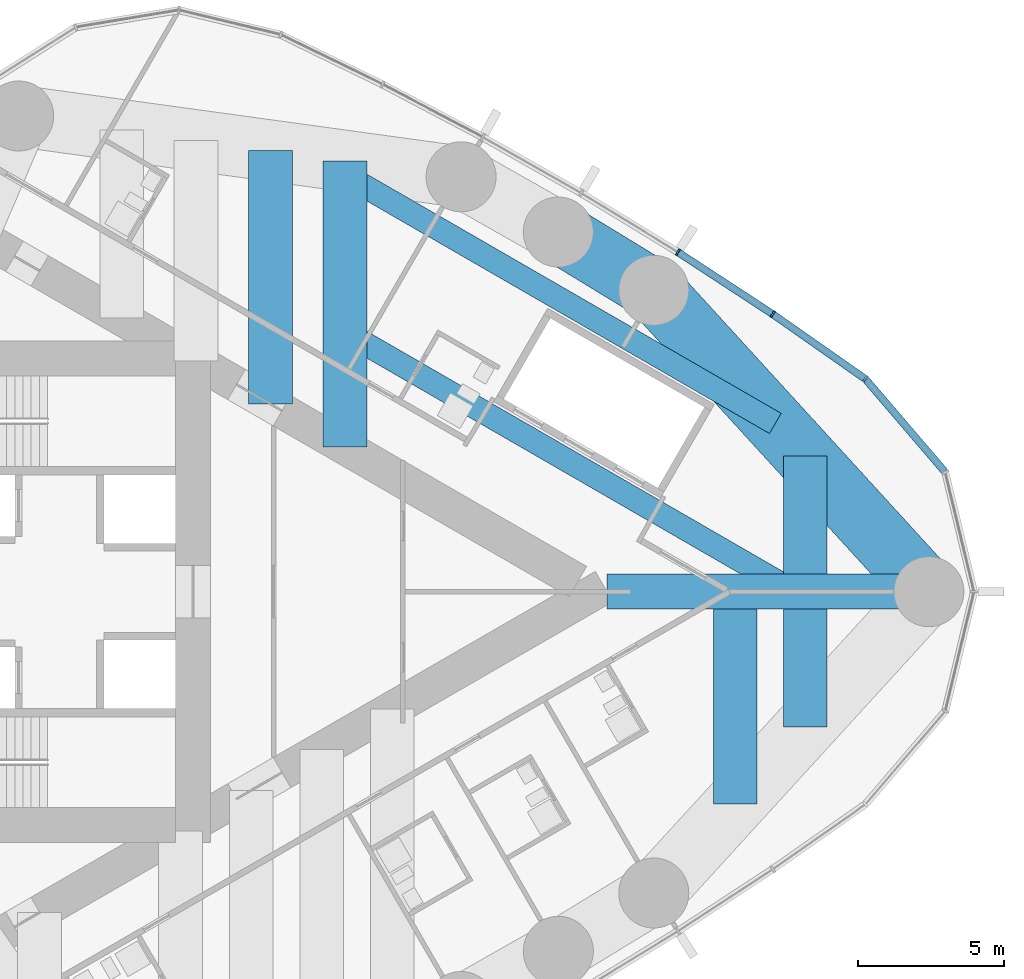
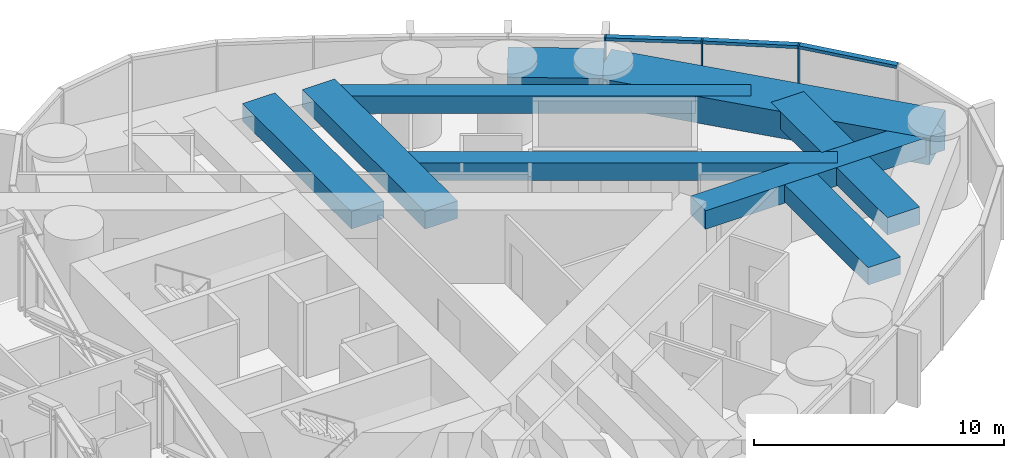
# One storey, part 9 of 23: 10 beams, 6 members, 1 element without a shape of its own.
"""IFC4 building model written with IfcOpenShell, lengths in metres."""

from ifc_helpers import new_model, si_unit, direction, frame, origin, origin_2d, place, context, subcontext, project, spatial, rectangle, hollow_rectangle, extrude, material, material_profile, profile_set, type_object, element, aggregate, save


model = new_model("IFC4")

# Units and contexts
model_context = context("Model", 3, precision=1e-05, world=origin(), true_north=direction((0.0, 1.0)))
body_context = subcontext(model_context, "Body", "Model", "MODEL_VIEW")
ifc_project = project(units=[si_unit("LENGTHUNIT", "METRE"), si_unit("AREAUNIT", "SQUARE_METRE"), si_unit("VOLUMEUNIT", "CUBIC_METRE"), si_unit("PLANEANGLEUNIT", "RADIAN"), si_unit("MASSUNIT", "GRAM", prefix="KILO")], contexts=[model_context])

# Site, building, storey
site_placement = place(None, origin())
site = spatial("IfcSite", under=ifc_project, at=site_placement, CompositionType="ELEMENT")
building_placement = place(site_placement, origin())
building = spatial("IfcBuilding", under=site, at=building_placement, Name="Lancet Gate Hotel", CompositionType="ELEMENT")
storey_placement = place(building_placement, frame((0.0, 0.0, 222.5)))
storey = spatial("IfcBuildingStorey", under=building, at=storey_placement, Name="L59", CompositionType="ELEMENT", Elevation=222.5)

# Curtain wall, members
ifc_material_1 = material(Name="Aluminium curtain wall", Category="aluminium")
curtain_wall_type = type_object("IfcCurtainWallType", Name="Tower unitised curtain wall", PredefinedType="USERDEFINED", material=ifc_material_1)
curtain_wall_placement = place(storey_placement, origin())
curtain_wall = element("IfcCurtainWall", 1, at=curtain_wall_placement, inside=storey, type_object=curtain_wall_type, Name="T2 L59 curtain wall 1", ObjectType="UNITISED CURTAIN WALL", PredefinedType="USERDEFINED")
ifc_material_2 = material(Name="Aluminium mullion", Category="aluminium")
ifc_material_profile_1 = material_profile(ifc_material_2, rectangle(XDim=0.06494140625, YDim=0.25, at=origin_2d()), Name="MULLION 65x250")
ifc_profile_set_1 = profile_set([ifc_material_profile_1], Name="Aluminium mullion")
member_type_1 = type_object("IfcMemberType", Name="Aluminium mullion 65x250", PredefinedType="MULLION", material=ifc_profile_set_1)
member_1_placement = place(storey_placement, frame((60.367431640625, 7.291259765625, 0.0), z_axis=(0.0, 0.0, 1.0), x_axis=(-0.737323173512, 0.675540182226, 0.0)))
member_1 = element("IfcMember", 2, at=member_1_placement, type_object=member_type_1, Name="T2 L59 curtain wall 1 mullion 16", PredefinedType="MULLION", context=body_context, shape_type="SweptSolid", body=[
    extrude(rectangle(XDim=0.06494140625, YDim=0.25, at=origin_2d()), origin(), (0.0, 0.0, 1.0), 3.60009765625),
])
member_2_placement = place(storey_placement, frame((57.185791015625, 9.518310546875, 0.0), z_axis=(0.0, 0.0, 1.0), x_axis=(-0.828154697184, 0.560499596371, 0.0)))
member_2 = element("IfcMember", 3, at=member_2_placement, type_object=member_type_1, Name="T2 L59 curtain wall 1 mullion 17", PredefinedType="MULLION", context=body_context, shape_type="SweptSolid", body=[
    extrude(rectangle(XDim=0.06494140625, YDim=0.25, at=origin_2d()), origin(), (0.0, 0.0, 1.0), 3.60009765625),
])
member_3_placement = place(storey_placement, frame((53.935791015625, 11.644287109375, 0.0), z_axis=(0.0, 0.0, 1.0), x_axis=(-0.845339753513, 0.534229071777, 0.0)))
member_3 = element("IfcMember", 4, at=member_3_placement, type_object=member_type_1, Name="T2 L59 curtain wall 1 mullion 18", PredefinedType="MULLION", context=body_context, shape_type="SweptSolid", body=[
    extrude(rectangle(XDim=0.06494140625, YDim=0.25, at=origin_2d()), origin(), (0.0, 0.0, 1.0), 3.60009765625),
])
ifc_material_3 = material(Name="Aluminium transom", Category="aluminium")
ifc_material_profile_2 = material_profile(ifc_material_3, rectangle(XDim=0.25, YDim=0.14990234375, at=origin_2d()), Name="TRANSOM 250x150")
ifc_profile_set_2 = profile_set([ifc_material_profile_2], Name="Aluminium transom")
member_type_2 = type_object("IfcMemberType", Name="Aluminium transom 250x150", PredefinedType="USERDEFINED", material=ifc_profile_set_2)
member_4_placement = place(storey_placement, frame((63.08544921875, 4.118408203125, 3.52490234375), z_axis=(-0.650592500186, 0.759427019997, 0.0), x_axis=(-0.759427019997, -0.650592500186, 0.0)))
member_4 = element("IfcMember", 5, at=member_4_placement, type_object=member_type_2, Name="T2 L59 curtain wall 1 transom 15", ObjectType="TRANSOM", PredefinedType="USERDEFINED", context=body_context, shape_type="SweptSolid", body=[
    extrude(rectangle(XDim=0.25, YDim=0.14990234375, at=origin_2d()), origin(), (0.0, 0.0, 1.0), 4.1455078125),
])
member_5_placement = place(storey_placement, frame((60.3408203125, 7.31005859375, 3.52490234375), z_axis=(-0.819255948852, 0.573428016642, 0.0), x_axis=(-0.573428016642, -0.819255948852, 0.0)))
member_5 = element("IfcMember", 6, at=member_5_placement, type_object=member_type_2, Name="T2 L59 curtain wall 1 transom 16", ObjectType="TRANSOM", PredefinedType="USERDEFINED", context=body_context, shape_type="SweptSolid", body=[
    extrude(rectangle(XDim=0.25, YDim=0.14990234375, at=origin_2d()), origin(), (0.0, 0.0, 1.0), 3.818603515625),
])
member_6_placement = place(storey_placement, frame((57.158447265625, 9.5361328125, 3.52490234375), z_axis=(-0.836858089593, 0.547419891749, 0.0), x_axis=(-0.547419891749, -0.836858089593, 0.0)))
member_6 = element("IfcMember", 7, at=member_6_placement, type_object=member_type_2, Name="T2 L59 curtain wall 1 transom 17", ObjectType="TRANSOM", PredefinedType="USERDEFINED", context=body_context, shape_type="SweptSolid", body=[
    extrude(rectangle(XDim=0.25, YDim=0.14990234375, at=origin_2d()), origin(), (0.0, 0.0, 1.0), 3.818603515625),
])
aggregate(curtain_wall, [member_1, member_2, member_3, member_4, member_5, member_6])

# Beams
ifc_material_4 = material(Name="Concrete C50/60", Category="concrete")
ifc_material_profile_3 = material_profile(ifc_material_4, rectangle(XDim=2.10009765625, YDim=1.300048828125, at=origin_2d()), Name="RC 2100x1300")
ifc_profile_set_3 = profile_set([ifc_material_profile_3], Name="Concrete C50/60")
beam_type_1 = type_object("IfcBeamType", Name="Edge beam RC 2100x1300", PredefinedType="SPANDREL", material=ifc_profile_set_3)
beam_1_placement = place(storey_placement, frame((62.54150390625, 0.0, 2.699951171875), z_axis=(-0.674209372947, 0.738540263919, 0.0), x_axis=(-0.738540263919, -0.674209372947, 0.0)))
element("IfcBeam", 8, at=beam_1_placement, inside=storey, type_object=beam_type_1, Name="T2 edge beam EB1 L59", PredefinedType="SPANDREL", context=body_context, shape_type="SweptSolid", body=[
    extrude(rectangle(XDim=2.10009765625, YDim=1.300048828125, at=origin_2d()), origin(), (0.0, 0.0, 1.0), 13.992431640625),
])
beam_2_placement = place(storey_placement, frame((53.107666015625, 10.333984375, 2.699951171875), z_axis=(-0.853604257265, 0.520922040212, 0.0), x_axis=(-0.520922040212, -0.853604257265, 0.0)))
element("IfcBeam", 9, at=beam_2_placement, inside=storey, type_object=beam_type_1, Name="T2 edge beam EB1 L59", PredefinedType="SPANDREL", context=body_context, shape_type="SweptSolid", body=[
    extrude(rectangle(XDim=2.10009765625, YDim=1.300048828125, at=origin_2d()), origin(), (0.0, 0.0, 1.0), 3.835205078125),
])
ifc_material_5 = material(Name="Concrete C50/60", Category="concrete")
ifc_material_profile_4 = material_profile(ifc_material_5, rectangle(XDim=1.5, YDim=0.85009765625, at=origin_2d()), Name="RC 1500x850")
ifc_profile_set_4 = profile_set([ifc_material_profile_4], Name="Concrete C50/60")
beam_type_2 = type_object("IfcBeamType", Name="Floor beam RC 1500x850", PredefinedType="BEAM", material=ifc_profile_set_4)
beam_3_placement = place(storey_placement, frame((39.9658203125, 6.429443359375, 2.925048828125), z_axis=(0.0, 1.0, 0.0), x_axis=(-1.0, 0.0, 0.0)))
element("IfcBeam", 10, at=beam_3_placement, inside=storey, type_object=beam_type_2, Name="T2 floor beam F06N L59", PredefinedType="BEAM", context=body_context, shape_type="SweptSolid", body=[
    extrude(rectangle(XDim=1.5, YDim=0.85009765625, at=origin_2d()), origin(), (0.0, 0.0, 1.0), 8.694091796875),
])
beam_4_placement = place(storey_placement, frame((42.51904296875, 4.95556640625, 2.925048828125), z_axis=(0.0, 1.0, 0.0), x_axis=(-1.0, 0.0, 0.0)))
element("IfcBeam", 11, at=beam_4_placement, inside=storey, type_object=beam_type_2, Name="T2 floor beam F08N L59", PredefinedType="BEAM", context=body_context, shape_type="SweptSolid", body=[
    extrude(rectangle(XDim=1.5, YDim=0.85009765625, at=origin_2d()), origin(), (0.0, 0.0, 1.0), 9.817138671875),
])
beam_5_placement = place(storey_placement, frame((55.90234375, -7.272705078125, 2.925048828125), z_axis=(0.0, 1.0, 0.0), x_axis=(-1.0, 0.0, 0.0)))
element("IfcBeam", 12, at=beam_5_placement, inside=storey, type_object=beam_type_2, Name="T2 floor beam F10S L59", PredefinedType="BEAM", context=body_context, shape_type="SweptSolid", body=[
    extrude(rectangle(XDim=1.5, YDim=0.85009765625, at=origin_2d()), origin(), (0.0, 0.0, 1.0), 6.672607421875),
])
for number, where, z_axis, x_axis, name in (
    (13, (58.30224609375, -4.643798828125, 2.925048828125), (0.0, 1.0, 0.0), (-1.0, 0.0, 0.0), "T2 floor beam F12S L59"),
    (14, (58.30224609375, 0.60009765625, 2.925048828125), (0.0, 1.0, 0.0), (-1.0, 0.0, 0.0), "T2 floor beam F13N L59"),
):
    element("IfcBeam", number, at=place(storey_placement, frame(where, z_axis=z_axis, x_axis=x_axis)), inside=storey, type_object=beam_type_2, Name=name, PredefinedType="BEAM", context=body_context, shape_type="SweptSolid", body=[
        extrude(rectangle(XDim=1.5, YDim=0.85009765625, at=origin_2d()), origin(), (0.0, 0.0, 1.0), 4.043701171875),
    ])
ifc_material_6 = material(Name="Concrete C50/60", Category="concrete")
ifc_material_profile_5 = material_profile(ifc_material_6, rectangle(XDim=1.199951171875, YDim=0.89990234375, at=origin_2d()), Name="RC 1200x900")
ifc_profile_set_5 = profile_set([ifc_material_profile_5], Name="Concrete C50/60")
beam_type_3 = type_object("IfcBeamType", Name="Radial floor beam RC 1200x900", PredefinedType="BEAM", material=ifc_profile_set_5)
beam_6_placement = place(storey_placement, frame((62.54150390625, 0.0, 2.89990234375), z_axis=(-1.0, 0.0, 0.0), x_axis=(0.0, -1.0, 0.0)))
element("IfcBeam", 15, at=beam_6_placement, inside=storey, type_object=beam_type_3, Name="T2 radial beam CA L59", PredefinedType="BEAM", context=body_context, shape_type="SweptSolid", body=[
    extrude(rectangle(XDim=1.199951171875, YDim=0.89990234375, at=origin_2d()), origin(), (0.0, 0.0, 1.0), 11.039306640625),
])
ifc_material_7 = material(Name="Steel S460QL", Category="steel")
ifc_material_profile_6 = material_profile(ifc_material_7, hollow_rectangle(XDim=0.800048828125, YDim=0.85009765625, WallThickness=0.080078125, at=origin_2d()), Name="BOX 850x800x80")
ifc_profile_set_6 = profile_set([ifc_material_profile_6], Name="Steel S460QL")
beam_type_4 = type_object("IfcBeamType", Name="Trimmer beam BOX 850x800x80", PredefinedType="BEAM", material=ifc_profile_set_6)
beam_7_placement = place(storey_placement, frame((42.51904296875, 14.289794921875, 2.925048828125), z_axis=(0.865991109766, -0.500059394279, 0.0), x_axis=(0.500059394279, 0.865991109766, 0.0)))
element("IfcBeam", 16, at=beam_7_placement, inside=storey, type_object=beam_type_4, Name="T2 trimmer beam TR01N L59", PredefinedType="BEAM", context=body_context, shape_type="SweptSolid", body=[
    extrude(hollow_rectangle(XDim=0.800048828125, YDim=0.85009765625, WallThickness=0.080078125, at=origin_2d()), origin(), (0.0, 0.0, 1.0), 17.0390625),
])
beam_8_placement = place(storey_placement, frame((42.51904296875, 8.90185546875, 2.925048828125), z_axis=(0.865994419471, -0.500053662566, 0.0), x_axis=(0.500053662566, 0.865994419471, 0.0)))
element("IfcBeam", 17, at=beam_8_placement, inside=storey, type_object=beam_type_4, Name="T2 trimmer beam TR02N L59", PredefinedType="BEAM", context=body_context, shape_type="SweptSolid", body=[
    extrude(hollow_rectangle(XDim=0.800048828125, YDim=0.85009765625, WallThickness=0.080078125, at=origin_2d()), origin(), (0.0, 0.0, 1.0), 17.8017578125),
])

save(model, "model.ifc")
